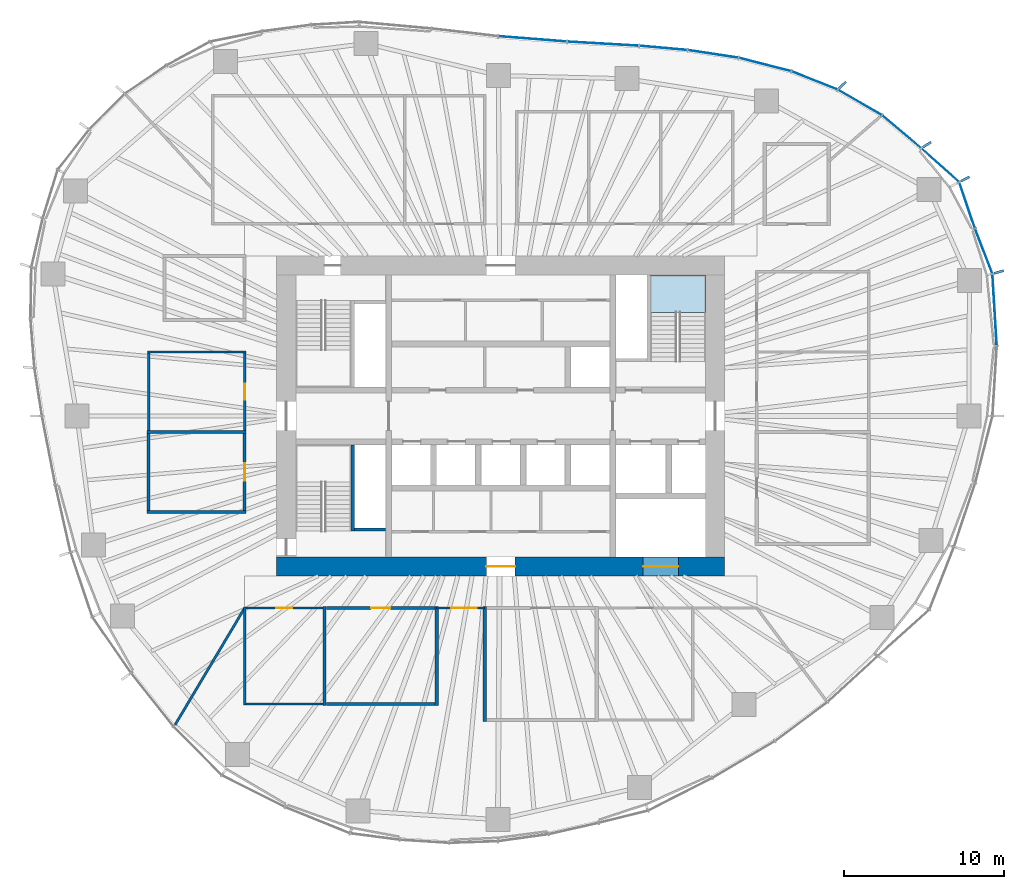
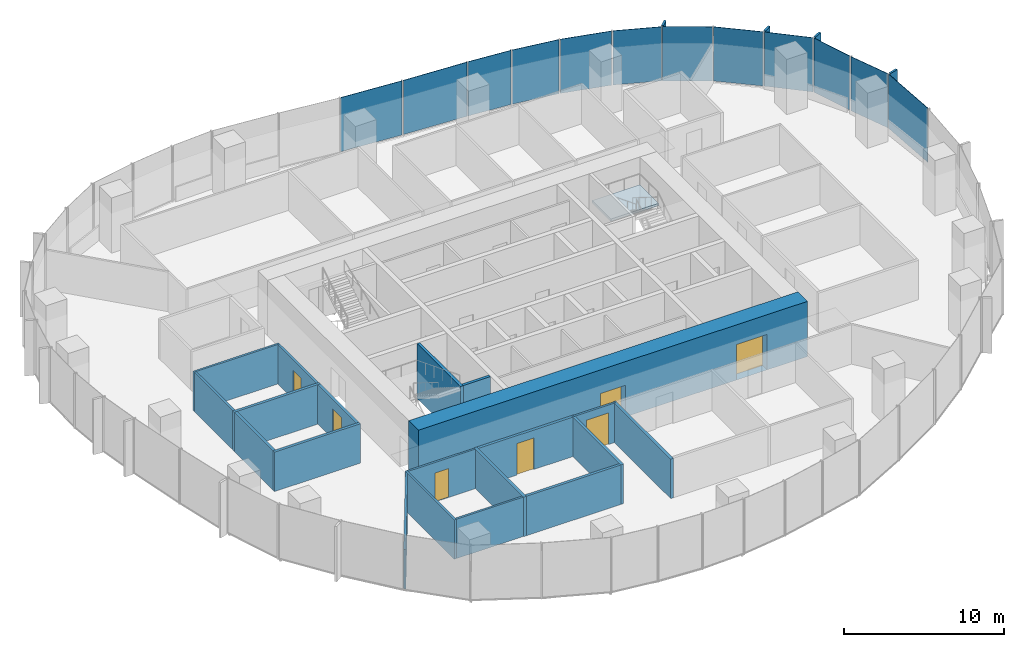
# One storey, part 8 of 18: 20 walls, 16 plates, 7 doors, 1 slab, 7 openings, 6 elements without a shape of their own.
"""IFC4 building model written with IfcOpenShell, lengths in metres."""

from ifc_helpers import new_model, si_unit, direction, frame, frame_2d, origin, origin_2d, place, context, subcontext, project, spatial, polyline, rectangle, outline, extrude, material, layer, layer_set, type_object, element, fill, aggregate, save


model = new_model("IFC4")

# Units and contexts
model_context = context("Model", 3, precision=1e-05, world=origin(), true_north=direction((0.0, 1.0)))
body_context = subcontext(model_context, "Body", "Model", "MODEL_VIEW")
ifc_project = project(units=[si_unit("LENGTHUNIT", "METRE"), si_unit("AREAUNIT", "SQUARE_METRE"), si_unit("VOLUMEUNIT", "CUBIC_METRE"), si_unit("PLANEANGLEUNIT", "RADIAN"), si_unit("MASSUNIT", "GRAM", prefix="KILO")], contexts=[model_context])

# Site, building, storey
site_placement = place(None, origin())
site = spatial("IfcSite", under=ifc_project, at=site_placement, CompositionType="ELEMENT")
building_placement = place(site_placement, origin())
building = spatial("IfcBuilding", under=site, at=building_placement, Name="Ghaith Harvest Tower", CompositionType="ELEMENT")
storey_placement = place(building_placement, frame((0.0, 0.0, 121.800048828125)))
storey = spatial("IfcBuildingStorey", under=building, at=storey_placement, Name="L25", CompositionType="ELEMENT", Elevation=121.800048828125)

# Curtain wall, plate
ifc_material_1 = material(Name="Black anodised aluminium and fritted glass", Category="aluminium")
curtain_wall_type = type_object("IfcCurtainWallType", Name="CW-L CURTAIN WALL", PredefinedType="NOTDEFINED", material=ifc_material_1)
curtain_wall_1_placement = place(storey_placement, origin())
curtain_wall_1 = element("IfcCurtainWall", 1, at=curtain_wall_1_placement, inside=storey, type_object=curtain_wall_type, Name="Curtain wall CW-L bay 01 L25", PredefinedType="NOTDEFINED")
ifc_material_2 = material(Name="Glass, dark solar-control fritted double glazed unit", Category="glass")
ifc_layer_1 = layer(ifc_material_2, 0.031982421875)
ifc_layer_set_1 = layer_set([ifc_layer_1], Name="CW-L VISION PANEL")
plate_type_1 = type_object("IfcPlateType", Name="CW-L VISION PANEL", PredefinedType="CURTAIN_PANEL", material=ifc_layer_set_1)
plate_1_placement = place(storey_placement, frame((30.863037109375, 6.63525390625, 0.079833984375), z_axis=(0.0, 0.0, 1.0), x_axis=(-0.060320650032, 0.998179051663, 0.0)))
plate_1 = element("IfcPlate", 2, at=plate_1_placement, type_object=plate_type_1, Name="CW-L glass unit 2 bay 01 L25", PredefinedType="CURTAIN_PANEL", context=body_context, shape_type="SweptSolid", body=[
    extrude(rectangle(XDim=4.419189453125, YDim=0.031982421875, at=origin_2d()), origin(), (0.0, 0.0, 1.0), 4.1201171875),
])
aggregate(curtain_wall_1, [plate_1])

# Curtain wall, plates
curtain_wall_2_placement = place(storey_placement, origin())
curtain_wall_2 = element("IfcCurtainWall", 3, at=curtain_wall_2_placement, inside=storey, type_object=curtain_wall_type, Name="Curtain wall CW-L bay 02 L25", PredefinedType="NOTDEFINED")
plate_2_placement = place(storey_placement, frame((30.180908203125, 10.29833984375, 0.079833984375), z_axis=(0.0, 0.0, 1.0), x_axis=(-0.359676824997, 0.933076943001, 0.0)))
plate_2 = element("IfcPlate", 4, at=plate_2_placement, type_object=plate_type_1, Name="CW-L glass unit 1 bay 02 L25", PredefinedType="CURTAIN_PANEL", context=body_context, shape_type="SweptSolid", body=[
    extrude(rectangle(XDim=2.95849609375, YDim=0.031982421875, at=origin_2d()), origin(), (0.0, 0.0, 1.0), 4.1201171875),
])
plate_3_placement = place(storey_placement, frame((29.142333984375, 13.163818359375, 0.079833984375), z_axis=(0.0, 0.0, 1.0), x_axis=(-0.321853304376, 0.946789549194, 0.0)))
plate_3 = element("IfcPlate", 5, at=plate_3_placement, type_object=plate_type_1, Name="CW-L glass unit 2 bay 02 L25", PredefinedType="CURTAIN_PANEL", context=body_context, shape_type="SweptSolid", body=[
    extrude(rectangle(XDim=2.978759765625, YDim=0.031982421875, at=origin_2d()), origin(), (0.0, 0.0, 1.0), 4.1201171875),
])
plate_4_placement = place(storey_placement, frame((27.46533203125, 15.668701171875, 0.079833984375), z_axis=(0.0, 0.0, 1.0), x_axis=(-0.746250544556, 0.665665174656, 0.0)))
plate_4 = element("IfcPlate", 6, at=plate_4_placement, type_object=plate_type_1, Name="CW-L glass unit 3 bay 02 L25", PredefinedType="CURTAIN_PANEL", context=body_context, shape_type="SweptSolid", body=[
    extrude(rectangle(XDim=3.094970703125, YDim=0.031982421875, at=origin_2d()), origin(), (0.0, 0.0, 1.0), 4.1201171875),
])
aggregate(curtain_wall_2, [plate_2, plate_3, plate_4])

curtain_wall_3_placement = place(storey_placement, origin())
curtain_wall_3 = element("IfcCurtainWall", 7, at=curtain_wall_3_placement, inside=storey, type_object=curtain_wall_type, Name="Curtain wall CW-L bay 03 L25", PredefinedType="NOTDEFINED")
plate_5_placement = place(storey_placement, frame((25.05126953125, 17.7587890625, 0.079833984375), z_axis=(0.0, 0.0, 1.0), x_axis=(-0.765473064857, 0.643467937801, 0.0)))
plate_5 = element("IfcPlate", 8, at=plate_5_placement, type_object=plate_type_1, Name="CW-L glass unit 1 bay 03 L25", PredefinedType="CURTAIN_PANEL", context=body_context, shape_type="SweptSolid", body=[
    extrude(rectangle(XDim=3.13232421875, YDim=0.031982421875, at=origin_2d()), origin(), (0.0, 0.0, 1.0), 4.1201171875),
])
plate_6_placement = place(storey_placement, frame((22.444091796875, 19.590576171875, 0.079833984375), z_axis=(0.0, 0.0, 1.0), x_axis=(-0.865232087993, 0.501371552751, 0.0)))
plate_6 = element("IfcPlate", 9, at=plate_6_placement, type_object=plate_type_1, Name="CW-L glass unit 2 bay 03 L25", PredefinedType="CURTAIN_PANEL", context=body_context, shape_type="SweptSolid", body=[
    extrude(rectangle(XDim=3.10498046875, YDim=0.031982421875, at=origin_2d()), origin(), (0.0, 0.0, 1.0), 4.1201171875),
])
plate_7_placement = place(storey_placement, frame((19.6142578125, 20.963623046875, 0.079833984375), z_axis=(0.0, 0.0, 1.0), x_axis=(-0.929876534019, 0.367871759558, 0.0)))
plate_7 = element("IfcPlate", 10, at=plate_7_placement, type_object=plate_type_1, Name="CW-L glass unit 3 bay 03 L25", PredefinedType="CURTAIN_PANEL", context=body_context, shape_type="SweptSolid", body=[
    extrude(rectangle(XDim=3.042724609375, YDim=0.031982421875, at=origin_2d()), origin(), (0.0, 0.0, 1.0), 4.1201171875),
])
aggregate(curtain_wall_3, [plate_5, plate_6, plate_7])

curtain_wall_4_placement = place(storey_placement, origin())
curtain_wall_4 = element("IfcCurtainWall", 11, at=curtain_wall_4_placement, inside=storey, type_object=curtain_wall_type, Name="Curtain wall CW-L bay 04 L25", PredefinedType="NOTDEFINED")
plate_8_placement = place(storey_placement, frame((16.513427734375, 21.958740234375, 0.079833984375), z_axis=(0.0, 0.0, 1.0), x_axis=(-0.96893110987, 0.247330758955, 0.0)))
plate_8 = element("IfcPlate", 12, at=plate_8_placement, type_object=plate_type_1, Name="CW-L glass unit 1 bay 04 L25", PredefinedType="CURTAIN_PANEL", context=body_context, shape_type="SweptSolid", body=[
    extrude(rectangle(XDim=3.3232421875, YDim=0.031982421875, at=origin_2d()), origin(), (0.0, 0.0, 1.0), 4.1201171875),
])
plate_9_placement = place(storey_placement, frame((13.2685546875, 22.621826171875, 0.079833984375), z_axis=(0.0, 0.0, 1.0), x_axis=(-0.988678736369, 0.150047846542, 0.0)))
plate_9 = element("IfcPlate", 13, at=plate_9_placement, type_object=plate_type_1, Name="CW-L glass unit 2 bay 04 L25", PredefinedType="CURTAIN_PANEL", context=body_context, shape_type="SweptSolid", body=[
    extrude(rectangle(XDim=3.14892578125, YDim=0.031982421875, at=origin_2d()), origin(), (0.0, 0.0, 1.0), 4.1201171875),
])
plate_10_placement = place(storey_placement, frame((10.15966796875, 22.9970703125, 0.079833984375), z_axis=(0.0, 0.0, 1.0), x_axis=(-0.996166190972, 0.087480969151, 0.0)))
plate_10 = element("IfcPlate", 14, at=plate_10_placement, type_object=plate_type_1, Name="CW-L glass unit 3 bay 04 L25", PredefinedType="CURTAIN_PANEL", context=body_context, shape_type="SweptSolid", body=[
    extrude(rectangle(XDim=2.957275390625, YDim=0.031982421875, at=origin_2d()), origin(), (0.0, 0.0, 1.0), 4.1201171875),
])
aggregate(curtain_wall_4, [plate_8, plate_9, plate_10])

curtain_wall_5_placement = place(storey_placement, origin())
curtain_wall_5 = element("IfcCurtainWall", 15, at=curtain_wall_5_placement, inside=storey, type_object=curtain_wall_type, Name="Curtain wall CW-L bay 05 L25", PredefinedType="NOTDEFINED")
plate_11_placement = place(storey_placement, frame((6.396728515625, 23.260498046875, 0.079833984375), z_axis=(0.0, 0.0, 1.0), x_axis=(-0.998320798751, 0.05792739233, 0.0)))
plate_11 = element("IfcPlate", 16, at=plate_11_placement, type_object=plate_type_1, Name="CW-L glass unit 1 bay 05 L25", PredefinedType="CURTAIN_PANEL", context=body_context, shape_type="SweptSolid", body=[
    extrude(rectangle(XDim=4.427734375, YDim=0.031982421875, at=origin_2d()), origin(), (0.0, 0.0, 1.0), 4.1201171875),
])
plate_12_placement = place(storey_placement, frame((1.9921875, 23.560302734375, 0.079833984375), z_axis=(0.0, 0.0, 1.0), x_axis=(-0.996925121312, 0.078360082291, 0.0)))
plate_12 = element("IfcPlate", 17, at=plate_12_placement, type_object=plate_type_1, Name="CW-L glass unit 2 bay 05 L25", PredefinedType="CURTAIN_PANEL", context=body_context, shape_type="SweptSolid", body=[
    extrude(rectangle(XDim=4.242431640625, YDim=0.031982421875, at=origin_2d()), origin(), (0.0, 0.0, 1.0), 4.1201171875),
])
aggregate(curtain_wall_5, [plate_11, plate_12])

# Stair, slab
ifc_material_3 = material(Name="Concrete C40/50, precast", Category="concrete")
stair_type = type_object("IfcStairType", Name="CORE STAIR 24R", PredefinedType="HALF_TURN_STAIR", material=ifc_material_3)
stair_placement = place(storey_placement, origin())
stair = element("IfcStair", 18, at=stair_placement, inside=storey, type_object=stair_type, Name="Stair ST2 L25", PredefinedType="HALF_TURN_STAIR")
ifc_material_4 = material(Name="Concrete C40/50, precast", Category="concrete")
ifc_layer_2 = layer(ifc_material_4, 0.179931640625)
ifc_layer_set_2 = layer_set([ifc_layer_2], Name="STAIR LANDING 180")
slab_type = type_object("IfcSlabType", Name="STAIR LANDING 180", PredefinedType="LANDING", material=ifc_layer_set_2)
slab_placement = place(storey_placement, frame((0.0, 0.0, 1.919921875)))
slab = element("IfcSlab", 19, at=slab_placement, type_object=slab_type, Name="ST2 landing 1", PredefinedType="LANDING", context=body_context, shape_type="SweptSolid", body=[
    extrude(outline(polyline([(12.800048828125, 6.4599609375), (12.800048828125, 8.800048828125), (9.35009765625, 8.800048828125), (9.35009765625, 6.4599609375), (12.800048828125, 6.4599609375)])), origin(), (0.0, 0.0, 1.0), 0.179931640625),
])
aggregate(stair, [slab])

# Plates
ifc_material_5 = material(Name="Glassfibre-reinforced concrete", Category="concrete")
ifc_layer_3 = layer(ifc_material_5, 0.14990234375)
ifc_layer_set_3 = layer_set([ifc_layer_3], Name="SUN-BREAKER FIN 600x150")
plate_type_2 = type_object("IfcPlateType", Name="SUN-BREAKER FIN 600x150", PredefinedType="USERDEFINED", material=ifc_layer_set_3)
for number, where, z_axis, x_axis, name in (
    (20, (31.130859375, 8.99755859375, 0.0), (0.0, 0.0, 1.0), (0.960680349985, 0.277656739792, 0.0), "Sun-breaker fin CW-L 1 bay 02 L25"),
    (21, (29.024169921875, 14.802734375, 0.0), (0.0, 0.0, 1.0), (0.890830752257, 0.454335306611, 0.0), "Sun-breaker fin CW-L 3 bay 02 L25"),
    (22, (26.635009765625, 16.95068359375, 0.0), (0.0, 0.0, 1.0), (0.843643971464, 0.536903016766, 0.0), "Sun-breaker fin CW-L 1 bay 03 L25"),
    (23, (21.367919921875, 20.68115234375, 0.0), (0.0, 0.0, 1.0), (0.7185589652, 0.69546604053, 0.0), "Sun-breaker fin CW-L 3 bay 03 L25"),
):
    element("IfcPlate", number, at=place(storey_placement, frame(where, z_axis=z_axis, x_axis=x_axis)), inside=storey, type_object=plate_type_2, Name=name, ObjectType="SUN-BREAKER FIN", PredefinedType="USERDEFINED", context=body_context, shape_type="SweptSolid", body=[
        extrude(rectangle(XDim=0.60009765625, YDim=0.14990234375, at=origin_2d()), origin(), (0.0, 0.0, 1.0), 4.199951171875),
    ])

# Walls
ifc_material_6 = material(Name="Twin-stud gypsum board, acoustic", Category="gypsum")
ifc_layer_4 = layer(ifc_material_6, 0.199951171875)
ifc_layer_set_4 = layer_set([ifc_layer_4], Name="ACOUSTIC PARTITION 200")
wall_type_1 = type_object("IfcWallType", Name="ACOUSTIC PARTITION 200", PredefinedType="PARTITIONING", material=ifc_layer_set_4)
for number, where, z_axis, x_axis, name in (
    (24, (-11.0, -11.89990234375, 0.0), (0.0, 0.0, 1.0), (0.0, -1.0, 0.0), "Partition L25 row S3 cross wall 2"),
    (25, (-4.0, -11.89990234375, 0.0), (0.0, 0.0, 1.0), (0.0, -1.0, 0.0), "Partition L25 row S3 cross wall 3"),
):
    element("IfcWall", number, at=place(storey_placement, frame(where, z_axis=z_axis, x_axis=x_axis)), inside=storey, type_object=wall_type_1, Name=name, PredefinedType="PARTITIONING", context=body_context, shape_type="SweptSolid", body=[
        extrude(rectangle(XDim=6.2001953125, YDim=0.199951171875, at=frame_2d((3.10009765625, 0.0))), origin(), (0.0, 0.0, 1.0), 3.0),
    ])

# Wall, opening, door
wall_1_placement = place(storey_placement, frame((-10.89990234375, -12.0, 0.0), z_axis=(0.0, 0.0, 1.0), x_axis=(1.0, 0.0, 0.0)))
wall_1 = element("IfcWall", 26, at=wall_1_placement, inside=storey, type_object=wall_type_1, Name="Partition L25-07", PredefinedType="PARTITIONING", context=body_context, shape_type="SweptSolid", body=[
    extrude(rectangle(XDim=6.7998046875, YDim=0.199951171875, at=frame_2d((3.39990234375, 0.0))), origin(), (0.0, 0.0, 1.0), 3.0),
])
opening_1_placement = place(wall_1_placement, frame((2.800048828125, 0.0, 0.0)))
opening_1 = element("IfcOpeningElement", 27, at=opening_1_placement, cuts=wall_1, Name="Opening 25-032", PredefinedType="OPENING", context=body_context, shape_type="SweptSolid", body=[
    extrude(rectangle(XDim=1.199951171875, YDim=2.39990234375, at=frame_2d((0.60009765625, 1.199951171875))), frame((0.0, 0.10986328125, 0.0), z_axis=(0.0, -1.0, 0.0), x_axis=(1.0, 0.0, 0.0)), (0.0, 0.0, 1.0), 0.219970703125),
])
ifc_material_7 = material(Name="Timber door", Category="wood")
door_type_1 = type_object("IfcDoorType", Name="D11 GLAZED 1200x2400", OperationType="SINGLE_SWING_LEFT", PredefinedType="DOOR", material=ifc_material_7)
door_1_placement = place(opening_1_placement, origin())
door_1 = element("IfcDoor", 28, at=door_1_placement, inside=storey, type_object=door_type_1, Name="Meeting room door", OperationType="SINGLE_SWING_LEFT", OverallHeight=2.39990234375, OverallWidth=1.199951171875, PredefinedType="DOOR", context=body_context, shape_type="SweptSolid", body=[
    extrude(rectangle(XDim=1.199951171875, YDim=2.39990234375, at=frame_2d((0.60009765625, 1.199951171875))), frame((0.0, 0.02490234375, 0.0), z_axis=(0.0, -1.0, 0.0), x_axis=(1.0, 0.0, 0.0)), (0.0, 0.0, 1.0), 0.050048828125),
])
fill(opening_1, door_1)

# Walls
wall_2_placement = place(storey_placement, frame((-10.89990234375, -18.0, 0.0), z_axis=(0.0, 0.0, 1.0), x_axis=(1.0, 0.0, 0.0)))
element("IfcWall", 29, at=wall_2_placement, inside=storey, type_object=wall_type_1, Name="Partition L25-07", PredefinedType="PARTITIONING", context=body_context, shape_type="SweptSolid", body=[
    extrude(rectangle(XDim=6.7998046875, YDim=0.199951171875, at=frame_2d((3.39990234375, 0.0))), origin(), (0.0, 0.0, 1.0), 3.0),
])
wall_3_placement = place(storey_placement, frame((-1.0, -11.89990234375, 0.0), z_axis=(0.0, 0.0, 1.0), x_axis=(0.0, -1.0, 0.0)))
element("IfcWall", 30, at=wall_3_placement, inside=storey, type_object=wall_type_1, Name="Partition L25 row S4 cross wall 1", PredefinedType="PARTITIONING", context=body_context, shape_type="SweptSolid", body=[
    extrude(rectangle(XDim=7.2001953125, YDim=0.199951171875, at=frame_2d((3.60009765625, 0.0))), origin(), (0.0, 0.0, 1.0), 3.0),
])
for number, where, z_axis, x_axis, name in (
    (31, (-15.89990234375, -6.0, 0.0), (0.0, 0.0, 1.0), (-1.0, 0.0, 0.0), "Partition L25 row W6 cross wall 1"),
    (32, (-15.89990234375, -1.0, 0.0), (0.0, 0.0, 1.0), (-1.0, 0.0, 0.0), "Partition L25 row W6 cross wall 2"),
):
    element("IfcWall", number, at=place(storey_placement, frame(where, z_axis=z_axis, x_axis=x_axis)), inside=storey, type_object=wall_type_1, Name=name, PredefinedType="PARTITIONING", context=body_context, shape_type="SweptSolid", body=[
        extrude(rectangle(XDim=6.2001953125, YDim=0.199951171875, at=frame_2d((3.10009765625, 0.0))), origin(), (0.0, 0.0, 1.0), 3.0),
    ])

# Wall, opening, door
wall_4_placement = place(storey_placement, frame((-16.0, -5.89990234375, 0.0), z_axis=(0.0, 0.0, 1.0), x_axis=(0.0, 1.0, 0.0)))
wall_4 = element("IfcWall", 33, at=wall_4_placement, inside=storey, type_object=wall_type_1, Name="Partition L25-13", PredefinedType="PARTITIONING", context=body_context, shape_type="SweptSolid", body=[
    extrude(rectangle(XDim=4.7998046875, YDim=0.199951171875, at=frame_2d((2.39990234375, 0.0))), origin(), (0.0, 0.0, 1.0), 3.0),
])
opening_2_placement = place(wall_4_placement, frame((1.85009765625, 0.0, 0.0)))
opening_2 = element("IfcOpeningElement", 34, at=opening_2_placement, cuts=wall_4, Name="Opening 25-038", PredefinedType="OPENING", context=body_context, shape_type="SweptSolid", body=[
    extrude(rectangle(XDim=1.10009765625, YDim=2.300048828125, at=frame_2d((0.550048828125, 1.14990234375))), frame((0.0, 0.10986328125, 0.0), z_axis=(0.0, -1.0, 0.0), x_axis=(1.0, 0.0, 0.0)), (0.0, 0.0, 1.0), 0.219970703125),
])
ifc_material_8 = material(Name="Timber-framed glazed door", Category="wood")
door_type_2 = type_object("IfcDoorType", Name="D12 GLAZED OFFICE 1100x2300", OperationType="SINGLE_SWING_LEFT", PredefinedType="DOOR", material=ifc_material_8)
door_2_placement = place(opening_2_placement, origin())
door_2 = element("IfcDoor", 35, at=door_2_placement, inside=storey, type_object=door_type_2, Name="Focus room door", OperationType="SINGLE_SWING_LEFT", OverallHeight=2.300048828125, OverallWidth=1.10009765625, PredefinedType="DOOR", context=body_context, shape_type="SweptSolid", body=[
    extrude(rectangle(XDim=1.10009765625, YDim=2.300048828125, at=frame_2d((0.550048828125, 1.14990234375))), frame((0.0, 0.02490234375, 0.0), z_axis=(0.0, -1.0, 0.0), x_axis=(1.0, 0.0, 0.0)), (0.0, 0.0, 1.0), 0.050048828125),
])
fill(opening_2, door_2)

# Wall
wall_5_placement = place(storey_placement, frame((-22.0, -5.89990234375, 0.0), z_axis=(0.0, 0.0, 1.0), x_axis=(0.0, 1.0, 0.0)))
element("IfcWall", 36, at=wall_5_placement, inside=storey, type_object=wall_type_1, Name="Partition L25-13", PredefinedType="PARTITIONING", context=body_context, shape_type="SweptSolid", body=[
    extrude(rectangle(XDim=4.7998046875, YDim=0.199951171875, at=frame_2d((2.39990234375, 0.0))), origin(), (0.0, 0.0, 1.0), 3.0),
])

# Wall, openings, doors
ifc_material_9 = material(Name="Concrete C60/75", Category="concrete")
ifc_layer_5 = layer(ifc_material_9, 1.199951171875)
ifc_layer_set_5 = layer_set([ifc_layer_5], Name="CORE WALL CW1200 C60")
wall_type_2 = type_object("IfcWallType", Name="CORE WALL CW1200 C60", PredefinedType="SHEAR", material=ifc_layer_set_5)
wall_6_placement = place(storey_placement, frame((-14.0, -9.39990234375, 0.0), z_axis=(0.0, 0.0, 1.0), x_axis=(1.0, 0.0, 0.0)))
wall_6 = element("IfcWall", 37, at=wall_6_placement, inside=storey, type_object=wall_type_2, Name="Core wall S L25", PredefinedType="SHEAR", context=body_context, shape_type="SweptSolid", body=[
    extrude(rectangle(XDim=28.0, YDim=1.199951171875, at=frame_2d((14.0, 0.0))), origin(), (0.0, 0.0, 1.0), 4.199951171875),
])
opening_3_placement = place(wall_6_placement, frame((13.10009765625, 0.0, 0.0)))
opening_3 = element("IfcOpeningElement", 38, at=opening_3_placement, cuts=wall_6, Name="Opening 25-018", PredefinedType="OPENING", context=body_context, shape_type="SweptSolid", body=[
    extrude(rectangle(XDim=1.800048828125, YDim=2.39990234375, at=frame_2d((0.89990234375, 1.199951171875))), frame((0.0, 0.60986328125, 0.0), z_axis=(0.0, -1.0, 0.0), x_axis=(1.0, 0.0, 0.0)), (0.0, 0.0, 1.0), 1.219970703125),
])
opening_4_placement = place(wall_6_placement, frame((22.89990234375, 0.0, 0.0)))
opening_4 = element("IfcOpeningElement", 39, at=opening_4_placement, cuts=wall_6, Name="Opening 25-025", PredefinedType="OPENING", context=body_context, shape_type="SweptSolid", body=[
    extrude(rectangle(XDim=2.199951171875, YDim=2.699951171875, at=frame_2d((1.10009765625, 1.35009765625))), frame((0.0, 0.60986328125, 0.0), z_axis=(0.0, -1.0, 0.0), x_axis=(1.0, 0.0, 0.0)), (0.0, 0.0, 1.0), 1.219970703125),
])
ifc_material_10 = material(Name="Steel fire door", Category="steel")
door_type_3 = type_object("IfcDoorType", Name="D4 FD90 PAIR 1800x2400", OperationType="DOUBLE_DOOR_SINGLE_SWING", PredefinedType="DOOR", material=ifc_material_10)
door_3_placement = place(opening_3_placement, origin())
door_3 = element("IfcDoor", 40, at=door_3_placement, inside=storey, type_object=door_type_3, Name="Core service corridor doors", OperationType="DOUBLE_DOOR_SINGLE_SWING", OverallHeight=2.39990234375, OverallWidth=1.800048828125, PredefinedType="DOOR", context=body_context, shape_type="SweptSolid", body=[
    extrude(rectangle(XDim=1.800048828125, YDim=2.39990234375, at=frame_2d((0.89990234375, 1.199951171875))), frame((0.0, 0.02490234375, 0.0), z_axis=(0.0, -1.0, 0.0), x_axis=(1.0, 0.0, 0.0)), (0.0, 0.0, 1.0), 0.050048828125),
])
fill(opening_3, door_3)
ifc_material_11 = material(Name="Steel fire door", Category="steel")
door_type_4 = type_object("IfcDoorType", Name="LD3 LANDING 2200x2700", OperationType="DOUBLE_DOOR_SLIDING", PredefinedType="DOOR", material=ifc_material_11)
door_4_placement = place(opening_4_placement, origin())
door_4 = element("IfcDoor", 41, at=door_4_placement, inside=storey, type_object=door_type_4, Name="Landing door, goods lift GL1", OperationType="DOUBLE_DOOR_SLIDING", OverallHeight=2.699951171875, OverallWidth=2.199951171875, PredefinedType="DOOR", context=body_context, shape_type="SweptSolid", body=[
    extrude(rectangle(XDim=2.199951171875, YDim=2.699951171875, at=frame_2d((1.10009765625, 1.35009765625))), frame((0.0, 0.02490234375, 0.0), z_axis=(0.0, -1.0, 0.0), x_axis=(1.0, 0.0, 0.0)), (0.0, 0.0, 1.0), 0.050048828125),
])
fill(opening_4, door_4)

# Wall
ifc_material_12 = material(Name="Gypsum board on steel studs", Category="steel")
ifc_layer_6 = layer(ifc_material_12, 0.14990234375)
ifc_layer_set_6 = layer_set([ifc_layer_6], Name="PARTITION 150")
wall_type_3 = type_object("IfcWallType", Name="PARTITION 150", PredefinedType="PARTITIONING", material=ifc_layer_set_6)
wall_7_placement = place(storey_placement, frame((-16.0, -11.925048828125, 0.0), z_axis=(0.0, 0.0, 1.0), x_axis=(0.0, -1.0, 0.0)))
element("IfcWall", 42, at=wall_7_placement, inside=storey, type_object=wall_type_3, Name="Partition L25 row S3 cross wall 1", PredefinedType="PARTITIONING", context=body_context, shape_type="SweptSolid", body=[
    extrude(rectangle(XDim=6.14990234375, YDim=0.14990234375, at=frame_2d((3.074951171875, 0.0))), origin(), (0.0, 0.0, 1.0), 3.0),
])

# Wall, opening, door
wall_8_placement = place(storey_placement, frame((-15.925048828125, -12.0, 0.0), z_axis=(0.0, 0.0, 1.0), x_axis=(1.0, 0.0, 0.0)))
wall_8 = element("IfcWall", 43, at=wall_8_placement, inside=storey, type_object=wall_type_3, Name="Partition L25-06", PredefinedType="PARTITIONING", context=body_context, shape_type="SweptSolid", body=[
    extrude(rectangle(XDim=4.824951171875, YDim=0.14990234375, at=frame_2d((2.41259765625, 0.0))), origin(), (0.0, 0.0, 1.0), 3.0),
])
opening_5_placement = place(wall_8_placement, frame((1.91259765625, 0.0, 0.0)))
opening_5 = element("IfcOpeningElement", 44, at=opening_5_placement, cuts=wall_8, Name="Opening 25-031", PredefinedType="OPENING", context=body_context, shape_type="SweptSolid", body=[
    extrude(rectangle(XDim=1.0, YDim=2.199951171875, at=frame_2d((0.5, 1.10009765625))), frame((0.0, 0.0849609375, 0.0), z_axis=(0.0, -1.0, 0.0), x_axis=(1.0, 0.0, 0.0)), (0.0, 0.0, 1.0), 0.169921875),
])
ifc_material_13 = material(Name="Timber door", Category="wood")
door_type_5 = type_object("IfcDoorType", Name="D1 SINGLE 1000x2200", OperationType="SINGLE_SWING_LEFT", PredefinedType="DOOR", material=ifc_material_13)
door_5_placement = place(opening_5_placement, origin())
door_5 = element("IfcDoor", 45, at=door_5_placement, inside=storey, type_object=door_type_5, Name="Store door", OperationType="SINGLE_SWING_LEFT", OverallHeight=2.199951171875, OverallWidth=1.0, PredefinedType="DOOR", context=body_context, shape_type="SweptSolid", body=[
    extrude(rectangle(XDim=1.0, YDim=2.199951171875, at=frame_2d((0.5, 1.10009765625))), frame((0.0, 0.02490234375, 0.0), z_axis=(0.0, -1.0, 0.0), x_axis=(1.0, 0.0, 0.0)), (0.0, 0.0, 1.0), 0.050048828125),
])
fill(opening_5, door_5)

# Walls
wall_9_placement = place(storey_placement, frame((-15.925048828125, -18.0, 0.0), z_axis=(0.0, 0.0, 1.0), x_axis=(1.0, 0.0, 0.0)))
element("IfcWall", 46, at=wall_9_placement, inside=storey, type_object=wall_type_3, Name="Partition L25-06", PredefinedType="PARTITIONING", context=body_context, shape_type="SweptSolid", body=[
    extrude(rectangle(XDim=4.824951171875, YDim=0.14990234375, at=frame_2d((2.41259765625, 0.0))), origin(), (0.0, 0.0, 1.0), 3.0),
])
wall_10_placement = place(storey_placement, frame((-15.925048828125, 4.0, 0.0), z_axis=(0.0, 0.0, 1.0), x_axis=(-1.0, 0.0, 0.0)))
element("IfcWall", 47, at=wall_10_placement, inside=storey, type_object=wall_type_3, Name="Partition L25 row W6 cross wall 3", PredefinedType="PARTITIONING", context=body_context, shape_type="SweptSolid", body=[
    extrude(rectangle(XDim=6.14990234375, YDim=0.14990234375, at=frame_2d((3.074951171875, 0.0))), origin(), (0.0, 0.0, 1.0), 3.0),
])

# Wall, opening, door
wall_11_placement = place(storey_placement, frame((-16.0, -0.89990234375, 0.0), z_axis=(0.0, 0.0, 1.0), x_axis=(0.0, 1.0, 0.0)))
wall_11 = element("IfcWall", 48, at=wall_11_placement, inside=storey, type_object=wall_type_3, Name="Partition L25-14", PredefinedType="PARTITIONING", context=body_context, shape_type="SweptSolid", body=[
    extrude(rectangle(XDim=4.824951171875, YDim=0.14990234375, at=frame_2d((2.41259765625, 0.0))), origin(), (0.0, 0.0, 1.0), 3.0),
])
opening_6_placement = place(wall_11_placement, frame((1.91259765625, 0.0, 0.0)))
opening_6 = element("IfcOpeningElement", 49, at=opening_6_placement, cuts=wall_11, Name="Opening 25-039", PredefinedType="OPENING", context=body_context, shape_type="SweptSolid", body=[
    extrude(rectangle(XDim=1.0, YDim=2.199951171875, at=frame_2d((0.5, 1.10009765625))), frame((0.0, 0.0849609375, 0.0), z_axis=(0.0, -1.0, 0.0), x_axis=(1.0, 0.0, 0.0)), (0.0, 0.0, 1.0), 0.169921875),
])
door_6_placement = place(opening_6_placement, origin())
door_6 = element("IfcDoor", 50, at=door_6_placement, inside=storey, type_object=door_type_5, Name="Print room door", OperationType="SINGLE_SWING_LEFT", OverallHeight=2.199951171875, OverallWidth=1.0, PredefinedType="DOOR", context=body_context, shape_type="SweptSolid", body=[
    extrude(rectangle(XDim=1.0, YDim=2.199951171875, at=frame_2d((0.5, 1.10009765625))), frame((0.0, 0.02490234375, 0.0), z_axis=(0.0, -1.0, 0.0), x_axis=(1.0, 0.0, 0.0)), (0.0, 0.0, 1.0), 0.050048828125),
])
fill(opening_6, door_6)

# Walls
wall_12_placement = place(storey_placement, frame((-22.0, -0.89990234375, 0.0), z_axis=(0.0, 0.0, 1.0), x_axis=(0.0, 1.0, 0.0)))
element("IfcWall", 51, at=wall_12_placement, inside=storey, type_object=wall_type_3, Name="Partition L25-14", PredefinedType="PARTITIONING", context=body_context, shape_type="SweptSolid", body=[
    extrude(rectangle(XDim=4.824951171875, YDim=0.14990234375, at=frame_2d((2.41259765625, 0.0))), origin(), (0.0, 0.0, 1.0), 3.0),
])
wall_13_placement = place(storey_placement, frame((-16.02001953125, -12.03369140625, 0.0), z_axis=(0.0, 0.0, 1.0), x_axis=(-0.511518902153, -0.859272024879, 0.0)))
element("IfcWall", 52, at=wall_13_placement, inside=storey, type_object=wall_type_3, Name="Partition L25 zone division", PredefinedType="PARTITIONING", context=body_context, shape_type="SweptSolid", body=[
    extrude(rectangle(XDim=8.451416015625, YDim=0.14990234375, at=frame_2d((4.2255859375, 0.0))), origin(), (0.0, 0.0, 1.0), 3.0),
])

# Wall, opening, door
wall_14_placement = place(storey_placement, frame((-4.0, -12.0, 0.0), z_axis=(0.0, 0.0, 1.0), x_axis=(1.0, 0.0, 0.0)))
wall_14 = element("IfcWall", 53, at=wall_14_placement, inside=storey, type_object=wall_type_3, Name="Partition L25 zone enclosure", PredefinedType="PARTITIONING", context=body_context, shape_type="SweptSolid", body=[
    extrude(rectangle(XDim=3.0, YDim=0.14990234375, at=frame_2d((1.5, 0.0))), origin(), (0.0, 0.0, 1.0), 3.0),
])
opening_7_placement = place(wall_14_placement, frame((0.89990234375, 0.0, 0.0)))
opening_7 = element("IfcOpeningElement", 54, at=opening_7_placement, cuts=wall_14, Name="Opening 25-042", PredefinedType="OPENING", context=body_context, shape_type="SweptSolid", body=[
    extrude(rectangle(XDim=1.60009765625, YDim=2.39990234375, at=frame_2d((0.800048828125, 1.199951171875))), frame((0.0, 0.0849609375, 0.0), z_axis=(0.0, -1.0, 0.0), x_axis=(1.0, 0.0, 0.0)), (0.0, 0.0, 1.0), 0.169921875),
])
ifc_material_14 = material(Name="Timber door", Category="wood")
door_type_6 = type_object("IfcDoorType", Name="D2 PAIR 1600x2400", OperationType="DOUBLE_DOOR_SINGLE_SWING", PredefinedType="DOOR", material=ifc_material_14)
door_7_placement = place(opening_7_placement, origin())
door_7 = element("IfcDoor", 55, at=door_7_placement, inside=storey, type_object=door_type_6, Name="Agronomy workplace south door", OperationType="DOUBLE_DOOR_SINGLE_SWING", OverallHeight=2.39990234375, OverallWidth=1.60009765625, PredefinedType="DOOR", context=body_context, shape_type="SweptSolid", body=[
    extrude(rectangle(XDim=1.60009765625, YDim=2.39990234375, at=frame_2d((0.800048828125, 1.199951171875))), frame((0.0, 0.02490234375, 0.0), z_axis=(0.0, -1.0, 0.0), x_axis=(1.0, 0.0, 0.0)), (0.0, 0.0, 1.0), 0.050048828125),
])
fill(opening_7, door_7)

# Walls
ifc_material_15 = material(Name="Concrete C40/50", Category="concrete")
ifc_layer_7 = layer(ifc_material_15, 0.199951171875)
ifc_layer_set_7 = layer_set([ifc_layer_7], Name="STAIR SPINE WALL RC200")
wall_type_4 = type_object("IfcWallType", Name="STAIR SPINE WALL RC200", PredefinedType="SOLIDWALL", material=ifc_layer_set_7)
wall_15_placement = place(storey_placement, frame((-9.25, -7.199951171875, 0.0), z_axis=(0.0, 0.0, 1.0), x_axis=(0.0, 1.0, 0.0)))
element("IfcWall", 56, at=wall_15_placement, inside=storey, type_object=wall_type_4, Name="Stair ST3 spine wall L25", PredefinedType="SOLIDWALL", context=body_context, shape_type="SweptSolid", body=[
    extrude(rectangle(XDim=5.39990234375, YDim=0.199951171875, at=frame_2d((2.699951171875, 0.0))), origin(), (0.0, 0.0, 1.0), 4.199951171875),
])
wall_16_placement = place(storey_placement, frame((-9.14990234375, -7.10009765625, 0.0), z_axis=(0.0, 0.0, 1.0), x_axis=(1.0, 0.0, 0.0)))
element("IfcWall", 57, at=wall_16_placement, inside=storey, type_object=wall_type_4, Name="Stair ST3 spine wall return L25", PredefinedType="SOLIDWALL", context=body_context, shape_type="SweptSolid", body=[
    extrude(rectangle(XDim=1.949951171875, YDim=0.199951171875, at=frame_2d((0.97509765625, 0.0))), origin(), (0.0, 0.0, 1.0), 4.199951171875),
])

save(model, "model.ifc")
